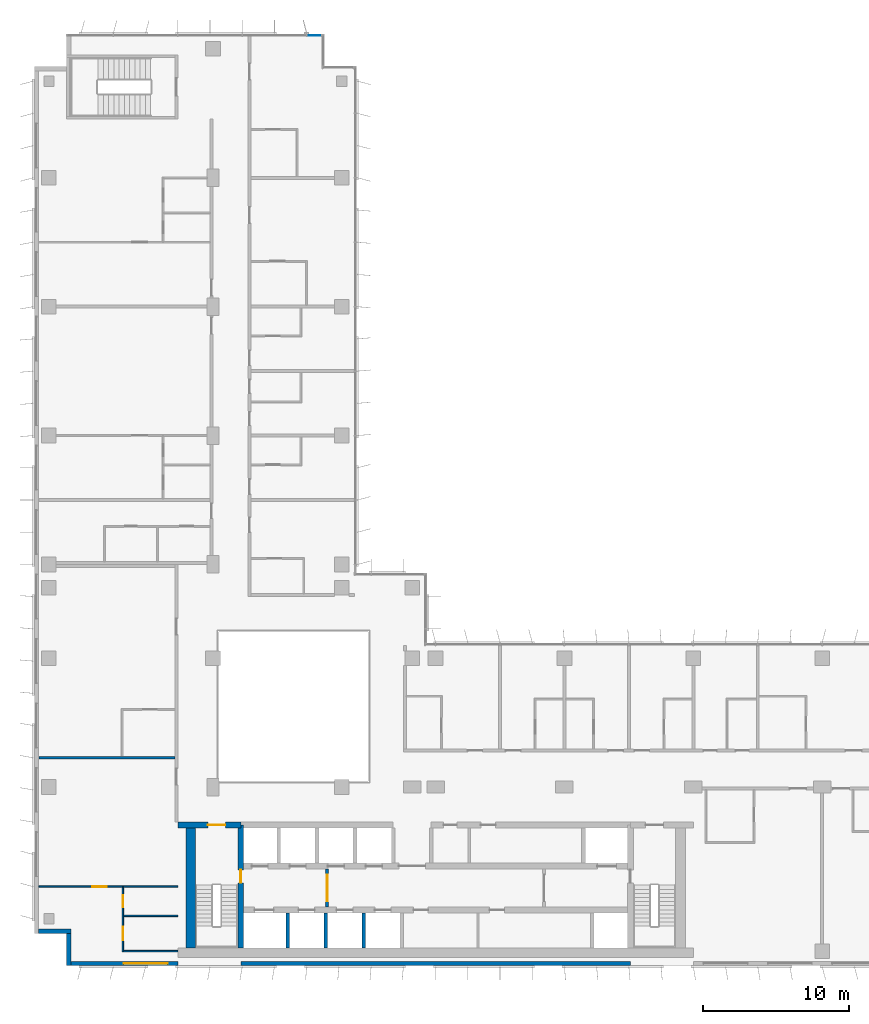
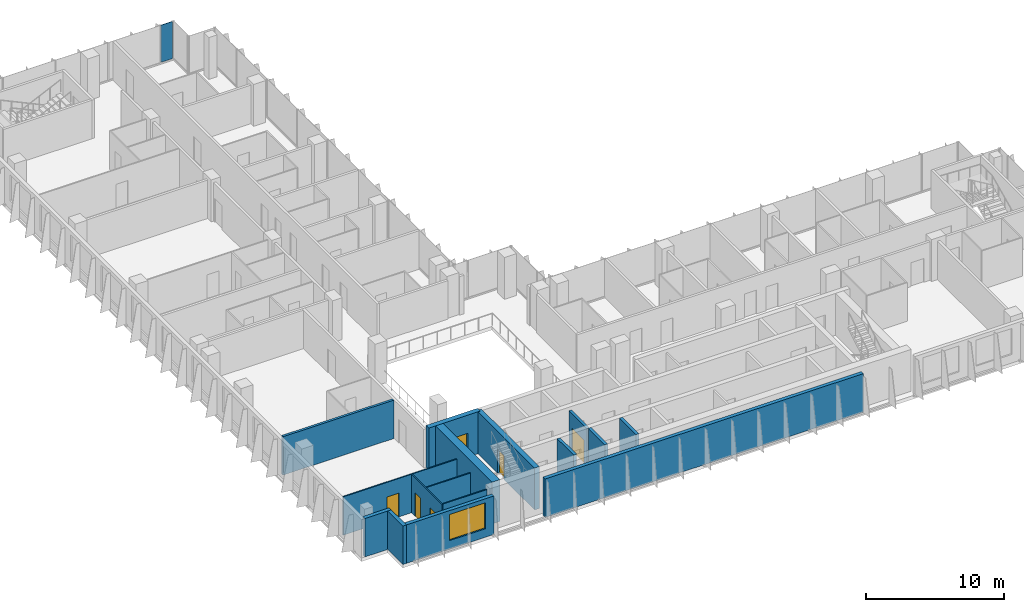
# One storey, part 12 of 21: 16 walls, 6 doors, 1 plate, 1 window, 7 openings, 1 element without a shape of its own.
"""IFC4 building model written with IfcOpenShell, lengths in metres."""

from ifc_helpers import new_model, si_unit, direction, frame, frame_2d, origin, origin_2d, place, context, subcontext, project, spatial, rectangle, extrude, source, transform, mapped, material, layer, layer_set, type_object, element, fill, aggregate, save


model = new_model("IFC4")

# Units and contexts
model_context = context("Model", 3, precision=1e-05, world=origin(), true_north=direction((0.0, 1.0)))
body_context = subcontext(model_context, "Body", "Model", "MODEL_VIEW")
ifc_project = project(units=[si_unit("LENGTHUNIT", "METRE"), si_unit("AREAUNIT", "SQUARE_METRE"), si_unit("VOLUMEUNIT", "CUBIC_METRE"), si_unit("PLANEANGLEUNIT", "RADIAN"), si_unit("MASSUNIT", "GRAM", prefix="KILO")], contexts=[model_context])

# Site, building, storey
site_placement = place(None, origin())
site = spatial("IfcSite", under=ifc_project, at=site_placement, CompositionType="ELEMENT")
building_placement = place(site_placement, origin())
building = spatial("IfcBuilding", under=site, at=building_placement, Name="Kemantara Hotel Tower", CompositionType="ELEMENT")
storey_placement = place(building_placement, frame((0.0, 0.0, 167.89990234375)))
storey = spatial("IfcBuildingStorey", under=building, at=storey_placement, Name="L41", CompositionType="ELEMENT", Elevation=167.89990234375)

# Curtain wall, plate
ifc_material_1 = material(Name="Low-E tinted double insulated glass 36 mm", Category="glass")
curtain_wall_type = type_object("IfcCurtainWallType", Name="TOWER CURTAIN WALL, FRONT FACES", PredefinedType="USERDEFINED", material=ifc_material_1)
curtain_wall_placement = place(storey_placement, origin())
curtain_wall = element("IfcCurtainWall", 1, at=curtain_wall_placement, inside=storey, type_object=curtain_wall_type, Name="CW4 L41 T3-R02-1", ObjectType="TOWER CURTAIN WALL, FRONT FACES", PredefinedType="USERDEFINED")
ifc_layer_1 = layer(ifc_material_1, 0.035888671875)
ifc_layer_set_1 = layer_set([ifc_layer_1], Name="Low-E tinted double insulated glass 36 mm")
plate_type = type_object("IfcPlateType", Name="TOWER CURTAIN WALL, FRONT FACES PANEL", PredefinedType="CURTAIN_PANEL", material=ifc_layer_set_1)
shared_shape = source(origin(), body_context, "Body", "SweptSolid", [
    extrude(rectangle(XDim=0.9599609375, YDim=0.035888671875, at=origin_2d()), origin(), (0.0, 0.0, 1.0), 3.280029296875),
])
plate_placement = place(storey_placement, frame((19.110107421875, 63.52490234375, 0.1201171875), z_axis=(0.0, 0.0, 1.0), x_axis=(-1.0, 0.0, 0.0)))
plate = element("IfcPlate", 2, at=plate_placement, type_object=plate_type, Name="CW4 glass panel T3-R02-1.1", PredefinedType="CURTAIN_PANEL", context=body_context, shape_type="MappedRepresentation", body=[
    mapped(shared_shape, transform((0.0, 0.0, 0.0))),
])
aggregate(curtain_wall, [plate])

# Walls
ifc_material_2 = material(Name="Bronze anodised aluminium cladding on insulated steel stud wall", Category="steel")
ifc_layer_2 = layer(ifc_material_2, 0.300048828125)
ifc_layer_set_2 = layer_set([ifc_layer_2], Name="Bronze anodised aluminium cladding on insulated steel stud wall")
wall_type_1 = type_object("IfcWallType", Name="BRONZE METAL-CLAD EXTERNAL WALL 300", PredefinedType="STANDARD", material=ifc_layer_set_2)
for number, where, z_axis, x_axis, name in (
    (3, (0.300048828125, 2.35009765625, 0.0), (0.0, 0.0, 1.0), (1.0, 0.0, 0.0), "EXTERNAL WALL L41 T3-R06"),
    (4, (2.35009765625, 2.199951171875, 0.0), (0.0, 0.0, 1.0), (0.0, -1.0, 0.0), "EXTERNAL WALL L41 T3-R07"),
):
    element("IfcWall", number, at=place(storey_placement, frame(where, z_axis=z_axis, x_axis=x_axis)), inside=storey, type_object=wall_type_1, Name=name, PredefinedType="STANDARD", context=body_context, shape_type="SweptSolid", body=[
        extrude(rectangle(XDim=2.199951171875, YDim=0.300048828125, at=frame_2d((1.10009765625, 0.0))), origin(), (0.0, 0.0, 1.0), 3.400146484375),
    ])

# Wall, opening, window
wall_1_placement = place(storey_placement, frame((2.5, 0.14990234375, 0.0), z_axis=(0.0, 0.0, 1.0), x_axis=(1.0, 0.0, 0.0)))
wall_1 = element("IfcWall", 5, at=wall_1_placement, inside=storey, type_object=wall_type_1, Name="EXTERNAL WALL L41 T3-R08", PredefinedType="STANDARD", context=body_context, shape_type="SweptSolid", body=[
    extrude(rectangle(XDim=7.300048828125, YDim=0.300048828125, at=frame_2d((3.64990234375, 0.0))), origin(), (0.0, 0.0, 1.0), 3.400146484375),
])
opening_1_placement = place(wall_1_placement, frame((3.60009765625, 0.0, 0.75)))
opening_1 = element("IfcOpeningElement", 6, at=opening_1_placement, cuts=wall_1, Name="Opening W1", PredefinedType="OPENING", context=body_context, shape_type="SweptSolid", body=[
    extrude(rectangle(XDim=3.0, YDim=2.300048828125, at=frame_2d((1.5, 1.14990234375))), frame((0.0, 0.159912109375, 0.0), z_axis=(0.0, -1.0, 0.0), x_axis=(1.0, 0.0, 0.0)), (0.0, 0.0, 1.0), 0.320068359375),
])
ifc_material_3 = material(Name="Low-E tinted double insulated glass in bronze anodised aluminium frame", Category="aluminium")
window_type = type_object("IfcWindowType", Name="CHICAGO WINDOW, TRIPLE PANEL 3000x2300", PartitioningType="TRIPLE_PANEL_VERTICAL", PredefinedType="WINDOW", material=ifc_material_3)
window_placement = place(opening_1_placement, origin())
window = element("IfcWindow", 7, at=window_placement, inside=storey, type_object=window_type, Name="CHICAGO WINDOW L41 T3-R08-54", OverallHeight=2.300048828125, OverallWidth=3.0, PartitioningType="SINGLE_PANEL", PredefinedType="WINDOW", context=body_context, shape_type="SweptSolid", body=[
    extrude(rectangle(XDim=3.0, YDim=2.300048828125, at=frame_2d((1.5, 1.14990234375))), frame((0.0, 0.030029296875, 0.0), z_axis=(0.0, -1.0, 0.0), x_axis=(1.0, 0.0, 0.0)), (0.0, 0.0, 1.0), 0.06005859375),
])
fill(opening_1, window)

# Walls
wall_2_placement = place(storey_placement, frame((14.10009765625, 0.14990234375, 0.0), z_axis=(0.0, 0.0, 1.0), x_axis=(1.0, 0.0, 0.0)))
element("IfcWall", 8, at=wall_2_placement, inside=storey, type_object=wall_type_1, Name="EXTERNAL WALL L41 T3-R08-2", PredefinedType="STANDARD", context=body_context, shape_type="SweptSolid", body=[
    extrude(rectangle(XDim=26.599853515625, YDim=0.300048828125, at=frame_2d((13.2998046875, 0.0))), origin(), (0.0, 0.0, 1.0), 3.400146484375),
])
ifc_material_4 = material(Name="Concrete fc 60 MPa", Category="concrete")
ifc_layer_3 = layer(ifc_material_4, 0.25)
ifc_layer_set_3 = layer_set([ifc_layer_3], Name="Concrete fc 60 MPa")
wall_type_2 = type_object("IfcWallType", Name="CORE WALL 250 FC60", PredefinedType="SHEAR", material=ifc_layer_set_3)
for number, where, z_axis, x_axis, name in (
    (9, (17.300048828125, 1.199951171875, 0.0), (0.0, 0.0, 1.0), (0.0, 1.0, 0.0), "CORE WALL CW-DS17.3"),
    (10, (19.89990234375, 1.199951171875, 0.0), (0.0, 0.0, 1.0), (0.0, 1.0, 0.0), "CORE WALL CW-DS19.9"),
    (11, (22.5, 1.199951171875, 0.0), (0.0, 0.0, 1.0), (0.0, 1.0, 0.0), "CORE WALL CW-DS22.5"),
):
    element("IfcWall", number, at=place(storey_placement, frame(where, z_axis=z_axis, x_axis=x_axis)), inside=storey, type_object=wall_type_2, Name=name, PredefinedType="SHEAR", context=body_context, shape_type="SweptSolid", body=[
        extrude(rectangle(XDim=2.400146484375, YDim=0.25, at=frame_2d((1.2001953125, 0.0))), origin(), (0.0, 0.0, 1.0), 3.7001953125),
    ])

# Wall, opening, door
ifc_layer_4 = layer(ifc_material_4, 0.39990234375)
ifc_layer_set_4 = layer_set([ifc_layer_4], Name="Concrete fc 60 MPa")
wall_type_3 = type_object("IfcWallType", Name="CORE WALL 400 FC60", PredefinedType="SHEAR", material=ifc_layer_set_4)
wall_3_placement = place(storey_placement, frame((9.800048828125, 9.60009765625, 0.0), z_axis=(0.0, 0.0, 1.0), x_axis=(1.0, 0.0, 0.0)))
wall_3 = element("IfcWall", 12, at=wall_3_placement, inside=storey, type_object=wall_type_3, Name="CORE WALL CW-N1", PredefinedType="SHEAR", context=body_context, shape_type="SweptSolid", body=[
    extrude(rectangle(XDim=4.300048828125, YDim=0.39990234375, at=frame_2d((2.14990234375, 0.0))), origin(), (0.0, 0.0, 1.0), 3.7001953125),
])
opening_2_placement = place(wall_3_placement, frame((2.050048828125, 0.0, 0.0)))
opening_2 = element("IfcOpeningElement", 13, at=opening_2_placement, cuts=wall_3, Name="Opening C26-ST1-C", PredefinedType="OPENING", context=body_context, shape_type="SweptSolid", body=[
    extrude(rectangle(XDim=1.199951171875, YDim=2.10009765625, at=frame_2d((0.60009765625, 1.050048828125))), frame((0.0, 0.2099609375, 0.0), z_axis=(0.0, -1.0, 0.0), x_axis=(1.0, 0.0, 0.0)), (0.0, 0.0, 1.0), 0.419921875),
])
ifc_material_5 = material(Name="Steel fire door", Category="steel")
door_type_1 = type_object("IfcDoorType", Name="Fire door FD90 1200 x 2100", OperationType="NOTDEFINED", PredefinedType="DOOR", material=ifc_material_5)
door_1_placement = place(opening_2_placement, frame((1.199951171875, 0.0, 0.0), z_axis=(0.0, 0.0, 1.0), x_axis=(-1.0, 0.0, 0.0)))
door_1 = element("IfcDoor", 14, at=door_1_placement, inside=storey, type_object=door_type_1, Name="Stair ST1 door to corridor", OperationType="SINGLE_SWING_LEFT", OverallHeight=2.10009765625, OverallWidth=1.199951171875, PredefinedType="DOOR", context=body_context, shape_type="SweptSolid", body=[
    extrude(rectangle(XDim=1.199951171875, YDim=2.10009765625, at=frame_2d((0.60009765625, 1.050048828125))), frame((0.0, 0.02490234375, 0.0), z_axis=(0.0, -1.0, 0.0), x_axis=(1.0, 0.0, 0.0)), (0.0, 0.0, 1.0), 0.050048828125),
])
fill(opening_2, door_1)

wall_4_placement = place(storey_placement, frame((14.10009765625, 1.199951171875, 0.0), z_axis=(0.0, 0.0, 1.0), x_axis=(0.0, 1.0, 0.0)))
wall_4 = element("IfcWall", 15, at=wall_4_placement, inside=storey, type_object=wall_type_3, Name="CORE WALL CW-ST1E", PredefinedType="SHEAR", context=body_context, shape_type="SweptSolid", body=[
    extrude(rectangle(XDim=8.400146484375, YDim=0.39990234375, at=frame_2d((4.2001953125, 0.0))), origin(), (0.0, 0.0, 1.0), 3.7001953125),
])
opening_3_placement = place(wall_4_placement, frame((4.449951171875, 0.0, 0.0)))
opening_3 = element("IfcOpeningElement", 16, at=opening_3_placement, cuts=wall_4, Name="Opening C26-ST1-F", PredefinedType="OPENING", context=body_context, shape_type="SweptSolid", body=[
    extrude(rectangle(XDim=0.89990234375, YDim=2.10009765625, at=frame_2d((0.449951171875, 1.050048828125))), frame((0.0, 0.2099609375, 0.0), z_axis=(0.0, -1.0, 0.0), x_axis=(1.0, 0.0, 0.0)), (0.0, 0.0, 1.0), 0.419921875),
])
door_type_2 = type_object("IfcDoorType", Name="Fire door FD90 900 x 2100", OperationType="NOTDEFINED", PredefinedType="DOOR", material=ifc_material_5)
door_2_placement = place(opening_3_placement, origin())
door_2 = element("IfcDoor", 17, at=door_2_placement, inside=storey, type_object=door_type_2, Name="Stair ST1 door to firefighting lobby", OperationType="SINGLE_SWING_RIGHT", OverallHeight=2.10009765625, OverallWidth=0.89990234375, PredefinedType="DOOR", context=body_context, shape_type="SweptSolid", body=[
    extrude(rectangle(XDim=0.89990234375, YDim=2.10009765625, at=frame_2d((0.449951171875, 1.050048828125))), frame((0.0, 0.02490234375, 0.0), z_axis=(0.0, -1.0, 0.0), x_axis=(1.0, 0.0, 0.0)), (0.0, 0.0, 1.0), 0.050048828125),
])
fill(opening_3, door_2)

# Walls
ifc_layer_5 = layer(ifc_material_4, 0.64990234375)
ifc_layer_set_5 = layer_set([ifc_layer_5], Name="Concrete fc 60 MPa")
wall_type_4 = type_object("IfcWallType", Name="CORE WALL 650 FC60", PredefinedType="SHEAR", material=ifc_layer_set_5)
wall_5_placement = place(storey_placement, frame((10.675048828125, 1.199951171875, 0.0), z_axis=(0.0, 0.0, 1.0), x_axis=(0.0, 1.0, 0.0)))
element("IfcWall", 18, at=wall_5_placement, inside=storey, type_object=wall_type_4, Name="CORE WALL CW-W", PredefinedType="SHEAR", context=body_context, shape_type="SweptSolid", body=[
    extrude(rectangle(XDim=8.60009765625, YDim=0.64990234375, at=frame_2d((4.300048828125, 0.0))), origin(), (0.0, 0.0, 1.0), 3.7001953125),
])
ifc_material_6 = material(Name="Gypsum board partition, steel studs and mineral wool, 200 mm", Category="steel")
ifc_layer_6 = layer(ifc_material_6, 0.199951171875)
ifc_layer_set_6 = layer_set([ifc_layer_6], Name="Gypsum board partition, steel studs and mineral wool, 200 mm")
wall_type_5 = type_object("IfcWallType", Name="GUEST ROOM PARTY WALL 200", PredefinedType="PARTITIONING", material=ifc_layer_set_6)
wall_6_placement = place(storey_placement, frame((0.31005859375, 14.199951171875, 0.0), z_axis=(0.0, 0.0, 1.0), x_axis=(1.0, 0.0, 0.0)))
element("IfcWall", 19, at=wall_6_placement, inside=storey, type_object=wall_type_5, Name="GUEST ROOM PARTY WALL 200 014", PredefinedType="PARTITIONING", context=body_context, shape_type="SweptSolid", body=[
    extrude(rectangle(XDim=9.2900390625, YDim=0.199951171875, at=frame_2d((4.64501953125, 0.0))), origin(), (0.0, 0.0, 1.0), 3.400146484375),
])

# Wall, opening, door
ifc_material_7 = material(Name="Gypsum board shaft wall")
ifc_layer_7 = layer(ifc_material_7, 0.199951171875)
ifc_layer_set_7 = layer_set([ifc_layer_7], Name="Gypsum board shaft wall")
wall_type_6 = type_object("IfcWallType", Name="Gypsum board shaft wall 200 mm", PredefinedType="PARTITIONING", material=ifc_layer_set_7)
wall_7_placement = place(storey_placement, frame((20.0, 4.0, 0.0), z_axis=(0.0, 0.0, 1.0), x_axis=(0.0, 1.0, 0.0)))
wall_7 = element("IfcWall", 20, at=wall_7_placement, inside=storey, type_object=wall_type_6, Name="Firefighting lobby partition west", PredefinedType="PARTITIONING", context=body_context, shape_type="SweptSolid", body=[
    extrude(rectangle(XDim=2.60009765625, YDim=0.199951171875, at=frame_2d((1.300048828125, 0.0))), origin(), (0.0, 0.0, 1.0), 3.400146484375),
])
opening_4_placement = place(wall_7_placement, frame((0.39990234375, 0.0, 0.0)))
opening_4 = element("IfcOpeningElement", 21, at=opening_4_placement, cuts=wall_7, Name="Opening C26-FFW", PredefinedType="OPENING", context=body_context, shape_type="SweptSolid", body=[
    extrude(rectangle(XDim=1.800048828125, YDim=2.10009765625, at=frame_2d((0.89990234375, 1.050048828125))), frame((0.0, 0.10986328125, 0.0), z_axis=(0.0, -1.0, 0.0), x_axis=(1.0, 0.0, 0.0)), (0.0, 0.0, 1.0), 0.219970703125),
])
door_type_3 = type_object("IfcDoorType", Name="Fire door pair FD60 1800 x 2100", OperationType="DOUBLE_DOOR_SINGLE_SWING", PredefinedType="DOOR", material=ifc_material_5)
door_3_placement = place(opening_4_placement, origin())
door_3 = element("IfcDoor", 22, at=door_3_placement, inside=storey, type_object=door_type_3, Name="Firefighting lobby door west", OperationType="DOUBLE_DOOR_SINGLE_SWING", OverallHeight=2.10009765625, OverallWidth=1.800048828125, PredefinedType="DOOR", context=body_context, shape_type="SweptSolid", body=[
    extrude(rectangle(XDim=1.800048828125, YDim=2.10009765625, at=frame_2d((0.89990234375, 1.050048828125))), frame((0.0, 0.02490234375, 0.0), z_axis=(0.0, -1.0, 0.0), x_axis=(1.0, 0.0, 0.0)), (0.0, 0.0, 1.0), 0.050048828125),
])
fill(opening_4, door_3)

# Wall, openings, doors
ifc_material_8 = material(Name="Gypsum board partition on steel studs, 100 mm", Category="steel")
ifc_layer_8 = layer(ifc_material_8, 0.10009765625)
ifc_layer_set_8 = layer_set([ifc_layer_8], Name="Gypsum board partition on steel studs, 100 mm")
wall_type_7 = type_object("IfcWallType", Name="ROOM PARTITION 100", PredefinedType="PARTITIONING", material=ifc_layer_set_8)
wall_8_placement = place(storey_placement, frame((6.050048828125, 5.35009765625, 0.0), z_axis=(0.0, 0.0, 1.0), x_axis=(0.0, -1.0, 0.0)))
wall_8 = element("IfcWall", 23, at=wall_8_placement, inside=storey, type_object=wall_type_7, Name="ROOM PARTITION 100 049", PredefinedType="PARTITIONING", context=body_context, shape_type="SweptSolid", body=[
    extrude(rectangle(XDim=4.400146484375, YDim=0.10009765625, at=frame_2d((2.2001953125, 0.0))), origin(), (0.0, 0.0, 1.0), 3.400146484375),
])
opening_5_placement = place(wall_8_placement, frame((2.699951171875, 0.0, 0.0)))
opening_5 = element("IfcOpeningElement", 24, at=opening_5_placement, cuts=wall_8, Name="Opening F19-019", PredefinedType="OPENING", context=body_context, shape_type="SweptSolid", body=[
    extrude(rectangle(XDim=0.89990234375, YDim=2.10009765625, at=frame_2d((0.449951171875, 1.050048828125))), frame((0.0, 0.06005859375, 0.0), z_axis=(0.0, -1.0, 0.0), x_axis=(1.0, 0.0, 0.0)), (0.0, 0.0, 1.0), 0.1201171875),
])
opening_6_placement = place(wall_8_placement, frame((0.550048828125, 0.0, 0.0)))
opening_6 = element("IfcOpeningElement", 25, at=opening_6_placement, cuts=wall_8, Name="Opening F19-020", PredefinedType="OPENING", context=body_context, shape_type="SweptSolid", body=[
    extrude(rectangle(XDim=0.800048828125, YDim=2.10009765625, at=frame_2d((0.39990234375, 1.050048828125))), frame((0.0, 0.06005859375, 0.0), z_axis=(0.0, -1.0, 0.0), x_axis=(1.0, 0.0, 0.0)), (0.0, 0.0, 1.0), 0.1201171875),
])
ifc_material_9 = material(Name="Hardwood veneer door leaf with steel frame", Category="steel")
door_type_4 = type_object("IfcDoorType", Name="BATHROOM DOOR 900 X 2100", OperationType="NOTDEFINED", PredefinedType="DOOR", material=ifc_material_9)
door_4_placement = place(opening_5_placement, origin())
door_4 = element("IfcDoor", 26, at=door_4_placement, inside=storey, type_object=door_type_4, Name="BATHROOM DOOR F19-019", OperationType="SINGLE_SWING_LEFT", OverallHeight=2.10009765625, OverallWidth=0.89990234375, PredefinedType="DOOR", context=body_context, shape_type="SweptSolid", body=[
    extrude(rectangle(XDim=0.89990234375, YDim=2.10009765625, at=frame_2d((0.449951171875, 1.050048828125))), frame((0.0, 0.02490234375, 0.0), z_axis=(0.0, -1.0, 0.0), x_axis=(1.0, 0.0, 0.0)), (0.0, 0.0, 1.0), 0.050048828125),
])
fill(opening_5, door_4)
door_type_5 = type_object("IfcDoorType", Name="WARDROBE DOOR 800 X 2100", OperationType="NOTDEFINED", PredefinedType="DOOR", material=ifc_material_9)
door_5_placement = place(opening_6_placement, origin())
door_5 = element("IfcDoor", 27, at=door_5_placement, inside=storey, type_object=door_type_5, Name="WARDROBE DOOR F19-020", OperationType="SINGLE_SWING_LEFT", OverallHeight=2.10009765625, OverallWidth=0.800048828125, PredefinedType="DOOR", context=body_context, shape_type="SweptSolid", body=[
    extrude(rectangle(XDim=0.800048828125, YDim=2.10009765625, at=frame_2d((0.39990234375, 1.050048828125))), frame((0.0, 0.02490234375, 0.0), z_axis=(0.0, -1.0, 0.0), x_axis=(1.0, 0.0, 0.0)), (0.0, 0.0, 1.0), 0.050048828125),
])
fill(opening_6, door_5)

# Wall, opening, door
wall_9_placement = place(storey_placement, frame((9.7998046875, 5.39990234375, 0.0), z_axis=(0.0, 0.0, 1.0), x_axis=(-1.0, 0.0, 0.0)))
wall_9 = element("IfcWall", 28, at=wall_9_placement, inside=storey, type_object=wall_type_7, Name="ROOM PARTITION 100 050", PredefinedType="PARTITIONING", context=body_context, shape_type="SweptSolid", body=[
    extrude(rectangle(XDim=9.48974609375, YDim=0.10009765625, at=frame_2d((4.744873046875, 0.0))), origin(), (0.0, 0.0, 1.0), 3.400146484375),
])
opening_7_placement = place(wall_9_placement, frame((4.849853515625, 0.0, 0.0)))
opening_7 = element("IfcOpeningElement", 29, at=opening_7_placement, cuts=wall_9, Name="Opening F19-018", PredefinedType="OPENING", context=body_context, shape_type="SweptSolid", body=[
    extrude(rectangle(XDim=1.0, YDim=2.10009765625, at=frame_2d((0.5, 1.050048828125))), frame((0.0, 0.06005859375, 0.0), z_axis=(0.0, -1.0, 0.0), x_axis=(1.0, 0.0, 0.0)), (0.0, 0.0, 1.0), 0.1201171875),
])
door_type_6 = type_object("IfcDoorType", Name="INTERNAL DOOR 1000 X 2100", OperationType="NOTDEFINED", PredefinedType="DOOR", material=ifc_material_9)
door_6_placement = place(opening_7_placement, origin())
door_6 = element("IfcDoor", 30, at=door_6_placement, inside=storey, type_object=door_type_6, Name="INTERNAL DOOR F19-018", OperationType="SINGLE_SWING_LEFT", OverallHeight=2.10009765625, OverallWidth=1.0, PredefinedType="DOOR", context=body_context, shape_type="SweptSolid", body=[
    extrude(rectangle(XDim=1.0, YDim=2.10009765625, at=frame_2d((0.5, 1.050048828125))), frame((0.0, 0.02490234375, 0.0), z_axis=(0.0, -1.0, 0.0), x_axis=(1.0, 0.0, 0.0)), (0.0, 0.0, 1.0), 0.050048828125),
])
fill(opening_7, door_6)

# Walls
for number, where, z_axis, x_axis, name in (
    (31, (6.10009765625, 1.0, 0.0), (0.0, 0.0, 1.0), (1.0, 0.0, 0.0), "ROOM PARTITION 100 051"),
    (32, (6.10009765625, 3.39990234375, 0.0), (0.0, 0.0, 1.0), (1.0, 0.0, 0.0), "ROOM PARTITION 100 052"),
):
    element("IfcWall", number, at=place(storey_placement, frame(where, z_axis=z_axis, x_axis=x_axis)), inside=storey, type_object=wall_type_7, Name=name, PredefinedType="PARTITIONING", context=body_context, shape_type="SweptSolid", body=[
        extrude(rectangle(XDim=3.69970703125, YDim=0.10009765625, at=frame_2d((1.849853515625, 0.0))), origin(), (0.0, 0.0, 1.0), 3.400146484375),
    ])

save(model, "model.ifc")
